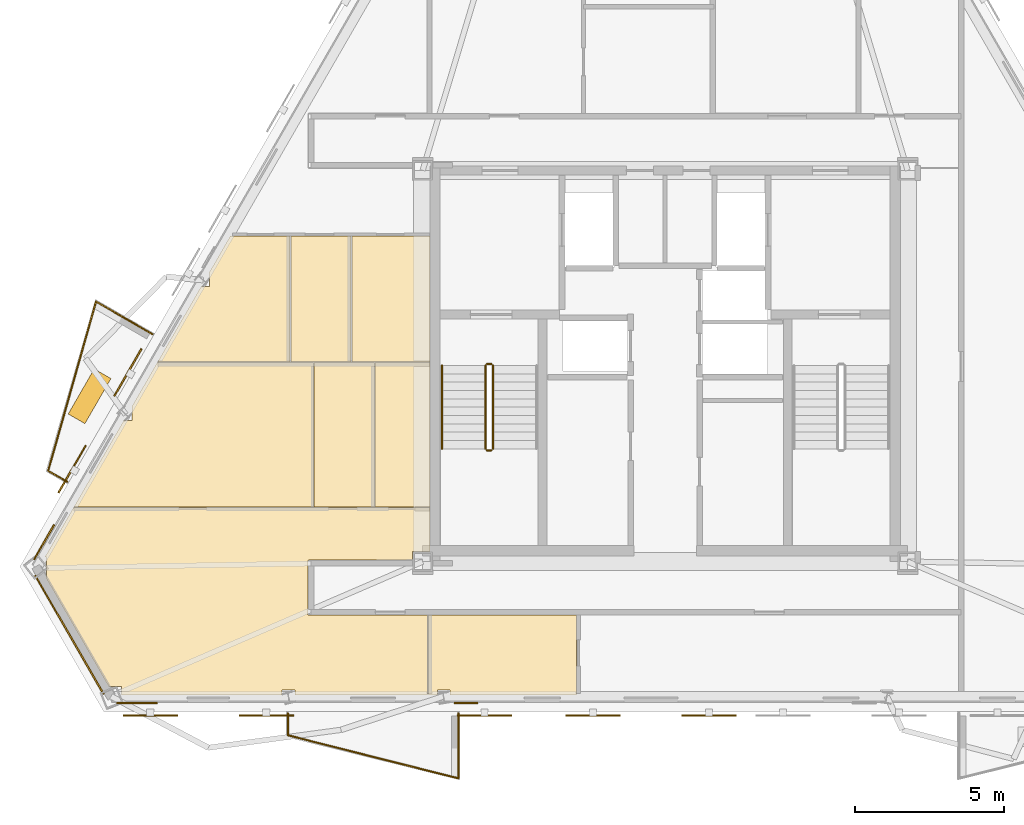
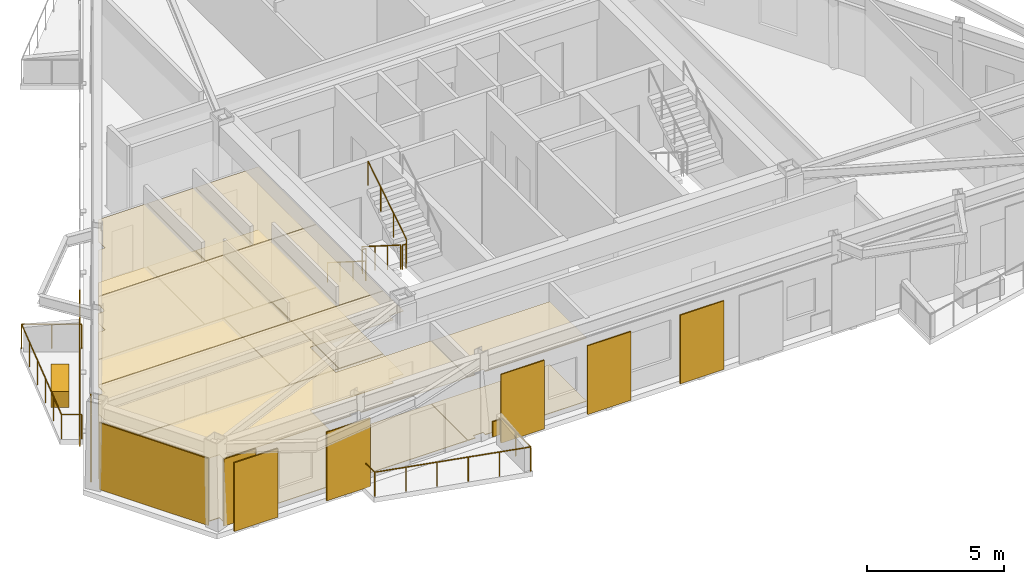
# One storey, part 7 of 9: 21 coverings, 11 railings, 7 shading devices.
"""IFC4 building model written with IfcOpenShell, lengths in metres."""

from ifc_helpers import new_model, si_unit, direction, frame, origin, origin_2d, place, context, subcontext, project, spatial, polyline, rectangle, circle, outline, extrude, material, layer, layer_set, type_object, element, save


model = new_model("IFC4")

# Units and contexts
model_context = context("Model", 3, precision=1e-05, world=origin(), true_north=direction((0.0, 1.0)))
body_context = subcontext(model_context, "Body", "Model", "MODEL_VIEW")
ifc_project = project(units=[si_unit("LENGTHUNIT", "METRE"), si_unit("AREAUNIT", "SQUARE_METRE"), si_unit("VOLUMEUNIT", "CUBIC_METRE"), si_unit("PLANEANGLEUNIT", "RADIAN"), si_unit("MASSUNIT", "GRAM", prefix="KILO")], contexts=[model_context])

# Site, building, storey
site_placement = place(None, origin())
site = spatial("IfcSite", under=ifc_project, at=site_placement, CompositionType="ELEMENT")
building_placement = place(site_placement, origin())
building = spatial("IfcBuilding", under=site, at=building_placement, Name="Oramaril Tower", CompositionType="ELEMENT")
storey_placement = place(building_placement, frame((0.0, 0.0, 261.60009765625)))
storey = spatial("IfcBuildingStorey", under=building, at=storey_placement, Name="L69", CompositionType="ELEMENT", Elevation=261.60009765625)

# Coverings
ifc_material_1 = material(Name="Mineral Fibre Acoustic Ceiling")
ifc_layer_1 = layer(ifc_material_1, 0.02001953125)
ifc_layer_set_1 = layer_set([ifc_layer_1], Name="CVT-CEIL")
covering_type_1 = type_object("IfcCoveringType", Name="CVT-CEIL", PredefinedType="CEILING", material=ifc_layer_set_1)
covering_1_placement = place(storey_placement, frame((0.0, 0.0, 2.81201171875)))
element("IfcCovering", 1, at=covering_1_placement, inside=storey, type_object=covering_type_1, Name="L69 Acoustic Suspended Ceiling 6", PredefinedType="CEILING", context=body_context, shape_type="SweptSolid", body=[
    extrude(outline(polyline([(30.2666015625, 6.681396484375), (29.843994140625, 6.681396484375), (29.843994140625, 6.5224609375), (29.5380859375, 6.5224609375), (29.5380859375, 9.199951171875), (34.521484375, 9.199951171875), (34.521484375, 6.5224609375), (30.2666015625, 6.5224609375), (30.2666015625, 6.681396484375)])), origin(), (0.0, 0.0, 1.0), 0.019775390625),
])
covering_2_placement = place(storey_placement, frame((0.0, 0.0, 2.81201171875)))
element("IfcCovering", 2, at=covering_2_placement, inside=storey, type_object=covering_type_1, Name="L69 Acoustic Suspended Ceiling 7", PredefinedType="CEILING", context=body_context, shape_type="SweptSolid", body=[
    extrude(outline(polyline([(29.60009765625, 12.814208984375), (29.60009765625, 11.344970703125), (29.0048828125, 11.344970703125), (29.0048828125, 11.050048828125), (25.52001953125, 11.050048828125), (25.51806640625, 11.0498046875), (25.51611328125, 11.049560546875), (25.51416015625, 11.049072265625), (25.51220703125, 11.048583984375), (25.510498046875, 11.047607421875), (25.5087890625, 11.046630859375), (25.50732421875, 11.04541015625), (25.505859375, 11.044189453125), (25.50439453125, 11.042724609375), (25.50341796875, 11.041015625), (25.50244140625, 11.039306640625), (25.50146484375, 11.03759765625), (25.5009765625, 11.035888671875), (25.50048828125, 11.033935546875), (25.5, 11.031982421875), (25.5, 11.030029296875), (25.5, 9.219970703125), (25.5, 9.218017578125), (25.50048828125, 9.216064453125), (25.5009765625, 9.214111328125), (25.50146484375, 9.21240234375), (25.50244140625, 9.210693359375), (25.50341796875, 9.208984375), (25.50439453125, 9.207275390625), (25.505859375, 9.205810546875), (25.50732421875, 9.20458984375), (25.5087890625, 9.203369140625), (25.510498046875, 9.202392578125), (25.51220703125, 9.201416015625), (25.51416015625, 9.200927734375), (25.51611328125, 9.200439453125), (25.51806640625, 9.2001953125), (25.52001953125, 9.199951171875), (29.51806640625, 9.199951171875), (29.51806640625, 6.5224609375), (25.05859375, 6.5224609375), (25.05859375, 6.681396484375), (24.629150390625, 6.681396484375), (24.629150390625, 6.5224609375), (19.219970703125, 6.5224609375), (19.219970703125, 6.794921875), (18.804931640625, 6.794921875), (16.68701171875, 10.463623046875), (16.708251953125, 10.463623046875), (16.708251953125, 11.15478515625), (16.657470703125, 11.15478515625), (17.615478515625, 12.814208984375), (29.60009765625, 12.814208984375)])), origin(), (0.0, 0.0, 1.0), 0.019775390625),
])
covering_3_placement = place(storey_placement, frame((0.0, 0.0, 2.81201171875)))
element("IfcCovering", 3, at=covering_3_placement, inside=storey, type_object=covering_type_1, Name="L69 Acoustic Suspended Ceiling 8", PredefinedType="CEILING", context=body_context, shape_type="SweptSolid", body=[
    extrude(outline(polyline([(19.3037109375, 15.73828125), (19.57470703125, 15.73828125), (19.57470703125, 16.19580078125), (19.56787109375, 16.19580078125), (20.431640625, 17.69189453125), (25.681884765625, 17.69189453125), (25.681884765625, 12.834228515625), (17.627197265625, 12.834228515625), (19.3037109375, 15.73828125)])), origin(), (0.0, 0.0, 1.0), 0.019775390625),
])
covering_4_placement = place(storey_placement, frame((0.0, 0.0, 2.81201171875)))
element("IfcCovering", 4, at=covering_4_placement, inside=storey, type_object=covering_type_1, Name="L69 Acoustic Suspended Ceiling 9", PredefinedType="CEILING", context=body_context, shape_type="SweptSolid", body=[
    extrude(outline(polyline([(27.73193359375, 17.69189453125), (27.73193359375, 12.834228515625), (25.701904296875, 12.834228515625), (25.701904296875, 17.69189453125), (27.73193359375, 17.69189453125)])), origin(), (0.0, 0.0, 1.0), 0.019775390625),
])
covering_5_placement = place(storey_placement, frame((0.0, 0.0, 2.81201171875)))
element("IfcCovering", 5, at=covering_5_placement, inside=storey, type_object=covering_type_1, Name="L69 Acoustic Suspended Ceiling 10", PredefinedType="CEILING", context=body_context, shape_type="SweptSolid", body=[
    extrude(outline(polyline([(29.60009765625, 17.69189453125), (29.60009765625, 12.834228515625), (27.751953125, 12.834228515625), (27.751953125, 17.69189453125), (29.60009765625, 17.69189453125)])), origin(), (0.0, 0.0, 1.0), 0.019775390625),
])
covering_6_placement = place(storey_placement, frame((0.0, 0.0, 2.81201171875)))
element("IfcCovering", 6, at=covering_6_placement, inside=storey, type_object=covering_type_1, Name="L69 Acoustic Suspended Ceiling 12", PredefinedType="CEILING", context=body_context, shape_type="SweptSolid", body=[
    extrude(outline(polyline([(22.181884765625, 20.25439453125), (22.181884765625, 20.7060546875), (22.171875, 20.7060546875), (22.884765625, 21.940673828125), (22.88525390625, 21.9404296875), (22.886962890625, 21.939697265625), (22.888916015625, 21.93896484375), (22.890869140625, 21.9384765625), (22.892578125, 21.93798828125), (22.894775390625, 21.93798828125), (24.8994140625, 21.93798828125), (24.8994140625, 17.7119140625), (20.443359375, 17.7119140625), (21.9111328125, 20.25439453125), (22.181884765625, 20.25439453125)])), origin(), (0.0, 0.0, 1.0), 0.019775390625),
])
covering_7_placement = place(storey_placement, frame((0.0, 0.0, 2.81201171875)))
element("IfcCovering", 7, at=covering_7_placement, inside=storey, type_object=covering_type_1, Name="L69 Acoustic Suspended Ceiling 13", PredefinedType="CEILING", context=body_context, shape_type="SweptSolid", body=[
    extrude(outline(polyline([(26.949462890625, 17.7119140625), (25.701904296875, 17.7119140625), (25.699951171875, 17.7119140625), (25.697998046875, 17.711669921875), (25.6962890625, 17.711181640625), (25.6943359375, 17.71044921875), (25.692626953125, 17.709716796875), (25.69189453125, 17.709228515625), (25.69140625, 17.709716796875), (25.689697265625, 17.71044921875), (25.687744140625, 17.711181640625), (25.685791015625, 17.711669921875), (25.68408203125, 17.7119140625), (25.681884765625, 17.7119140625), (24.91943359375, 17.7119140625), (24.91943359375, 21.93798828125), (26.949462890625, 21.93798828125), (26.949462890625, 17.7119140625)])), origin(), (0.0, 0.0, 1.0), 0.019775390625),
])
covering_8_placement = place(storey_placement, frame((0.0, 0.0, 2.81201171875)))
element("IfcCovering", 8, at=covering_8_placement, inside=storey, type_object=covering_type_1, Name="L69 Acoustic Suspended Ceiling 14", PredefinedType="CEILING", context=body_context, shape_type="SweptSolid", body=[
    extrude(outline(polyline([(29.60009765625, 17.7119140625), (27.751953125, 17.7119140625), (27.75, 17.7119140625), (27.748046875, 17.711669921875), (27.74609375, 17.711181640625), (27.744384765625, 17.71044921875), (27.74267578125, 17.709716796875), (27.741943359375, 17.709228515625), (27.741455078125, 17.709716796875), (27.73974609375, 17.71044921875), (27.73779296875, 17.711181640625), (27.73583984375, 17.711669921875), (27.73388671875, 17.7119140625), (27.73193359375, 17.7119140625), (26.969482421875, 17.7119140625), (26.969482421875, 21.93798828125), (29.60009765625, 21.93798828125), (29.60009765625, 17.7119140625)])), origin(), (0.0, 0.0, 1.0), 0.019775390625),
])
ifc_material_2 = material(Name="Warm Cream Limestone", Category="masonry")
ifc_layer_2 = layer(ifc_material_2, 0.050048828125)
ifc_layer_set_2 = layer_set([ifc_layer_2], Name="CVT-CLD")
covering_type_2 = type_object("IfcCoveringType", Name="CVT-CLD", PredefinedType="CLADDING", material=ifc_layer_set_2)
covering_9_placement = place(storey_placement, frame((17.478515625, 8.54052734375, 0.039794921875), z_axis=(0.0, 0.0, 1.0), x_axis=(0.499990930976, -0.866030639725, 0.0)))
element("IfcCovering", 9, at=covering_9_placement, inside=storey, type_object=covering_type_2, Name="L69 Warm Cream Limestone Cladding", PredefinedType="CLADDING", context=body_context, shape_type="SweptSolid", body=[
    extrude(rectangle(XDim=4.60400390625, YDim=0.050048828125, at=origin_2d()), origin(), (0.0, 0.0, 1.0), 2.97802734375),
])
covering_10_placement = place(storey_placement, frame((19.75, 6.246337890625, 0.039794921875), z_axis=(0.0, 0.0, 1.0), x_axis=(1.0, 0.0, 0.0)))
element("IfcCovering", 10, at=covering_10_placement, inside=storey, type_object=covering_type_2, Name="L69 Warm Cream Limestone Cladding", PredefinedType="CLADDING", context=body_context, shape_type="SweptSolid", body=[
    extrude(rectangle(XDim=1.35009765625, YDim=0.050048828125, at=origin_2d()), origin(), (0.0, 0.0, 1.0), 2.97802734375),
])
covering_11_placement = place(storey_placement, frame((30.803955078125, 6.246337890625, 0.0400390625), z_axis=(0.0, 0.0, 1.0), x_axis=(1.0, 0.0, 0.0)))
element("IfcCovering", 11, at=covering_11_placement, inside=storey, type_object=covering_type_2, Name="L69 Warm Cream Limestone Spandrel Cladding", PredefinedType="CLADDING", context=body_context, shape_type="SweptSolid", body=[
    extrude(rectangle(XDim=0.800048828125, YDim=0.050048828125, at=origin_2d()), origin(), (0.0, 0.0, 1.0), 0.679931640625),
])
covering_12_placement = place(storey_placement, frame((16.62744140625, 11.65478515625, 0.039794921875), z_axis=(0.0, 0.0, 1.0), x_axis=(-0.5, -0.866025403784, 0.0)))
element("IfcCovering", 12, at=covering_12_placement, inside=storey, type_object=covering_type_2, Name="L69 Warm Cream Limestone Cladding", PredefinedType="CLADDING", context=body_context, shape_type="SweptSolid", body=[
    extrude(rectangle(XDim=1.35009765625, YDim=0.050048828125, at=origin_2d()), origin(), (0.0, 0.0, 1.0), 2.97802734375),
])
covering_13_placement = place(storey_placement, frame((18.15478515625, 16.557373046875, 0.0), z_axis=(0.0, 0.0, 1.0), x_axis=(-0.5, -0.866025403784, 0.0)))
element("IfcCovering", 13, at=covering_13_placement, inside=storey, type_object=covering_type_2, Name="L69 Structural Tree Planter Box L69-BAL-NW2", PredefinedType="CLADDING", context=body_context, shape_type="SweptSolid", body=[
    extrude(rectangle(XDim=1.75, YDim=0.64990234375, at=origin_2d()), origin(), (0.0, 0.0, 1.0), 0.699951171875),
])
ifc_material_3 = material(Name="Honed Quartzite Stone Flooring", Category="masonry")
ifc_layer_3 = layer(ifc_material_3, 0.02490234375)
ifc_layer_set_3 = layer_set([ifc_layer_3], Name="CVT-FLR")
covering_type_3 = type_object("IfcCoveringType", Name="CVT-FLR", PredefinedType="FLOORING", material=ifc_layer_set_3)
covering_14_placement = place(storey_placement, origin())
element("IfcCovering", 14, at=covering_14_placement, inside=storey, type_object=covering_type_3, Name="L69 Honed Stone Floor Finish 6", PredefinedType="FLOORING", context=body_context, shape_type="SweptSolid", body=[
    extrude(outline(polyline([(30.2666015625, 6.681396484375), (29.843994140625, 6.681396484375), (29.843994140625, 6.5224609375), (29.5380859375, 6.5224609375), (29.5380859375, 9.199951171875), (34.521484375, 9.199951171875), (34.521484375, 6.5224609375), (30.2666015625, 6.5224609375), (30.2666015625, 6.681396484375)])), origin(), (0.0, 0.0, 1.0), 0.02490234375),
])
covering_15_placement = place(storey_placement, origin())
element("IfcCovering", 15, at=covering_15_placement, inside=storey, type_object=covering_type_3, Name="L69 Honed Stone Floor Finish 7", PredefinedType="FLOORING", context=body_context, shape_type="SweptSolid", body=[
    extrude(outline(polyline([(29.60009765625, 12.814208984375), (29.60009765625, 11.344970703125), (29.0048828125, 11.344970703125), (29.0048828125, 11.050048828125), (25.52001953125, 11.050048828125), (25.51806640625, 11.0498046875), (25.51611328125, 11.049560546875), (25.51416015625, 11.049072265625), (25.51220703125, 11.048583984375), (25.510498046875, 11.047607421875), (25.5087890625, 11.046630859375), (25.50732421875, 11.04541015625), (25.505859375, 11.044189453125), (25.50439453125, 11.042724609375), (25.50341796875, 11.041015625), (25.50244140625, 11.039306640625), (25.50146484375, 11.03759765625), (25.5009765625, 11.035888671875), (25.50048828125, 11.033935546875), (25.5, 11.031982421875), (25.5, 11.030029296875), (25.5, 9.219970703125), (25.5, 9.218017578125), (25.50048828125, 9.216064453125), (25.5009765625, 9.214111328125), (25.50146484375, 9.21240234375), (25.50244140625, 9.210693359375), (25.50341796875, 9.208984375), (25.50439453125, 9.207275390625), (25.505859375, 9.205810546875), (25.50732421875, 9.20458984375), (25.5087890625, 9.203369140625), (25.510498046875, 9.202392578125), (25.51220703125, 9.201416015625), (25.51416015625, 9.200927734375), (25.51611328125, 9.200439453125), (25.51806640625, 9.2001953125), (25.52001953125, 9.199951171875), (29.51806640625, 9.199951171875), (29.51806640625, 6.5224609375), (25.05859375, 6.5224609375), (25.05859375, 6.681396484375), (24.629150390625, 6.681396484375), (24.629150390625, 6.5224609375), (19.219970703125, 6.5224609375), (19.219970703125, 6.794921875), (18.804931640625, 6.794921875), (16.68701171875, 10.463623046875), (16.708251953125, 10.463623046875), (16.708251953125, 11.15478515625), (16.657470703125, 11.15478515625), (17.615478515625, 12.814208984375), (29.60009765625, 12.814208984375)])), origin(), (0.0, 0.0, 1.0), 0.02490234375),
])
covering_16_placement = place(storey_placement, origin())
element("IfcCovering", 16, at=covering_16_placement, inside=storey, type_object=covering_type_3, Name="L69 Honed Stone Floor Finish 8", PredefinedType="FLOORING", context=body_context, shape_type="SweptSolid", body=[
    extrude(outline(polyline([(19.3037109375, 15.73828125), (19.57470703125, 15.73828125), (19.57470703125, 16.19580078125), (19.56787109375, 16.19580078125), (20.431640625, 17.69189453125), (25.681884765625, 17.69189453125), (25.681884765625, 12.834228515625), (17.627197265625, 12.834228515625), (19.3037109375, 15.73828125)])), origin(), (0.0, 0.0, 1.0), 0.02490234375),
])
covering_17_placement = place(storey_placement, origin())
element("IfcCovering", 17, at=covering_17_placement, inside=storey, type_object=covering_type_3, Name="L69 Honed Stone Floor Finish 9", PredefinedType="FLOORING", context=body_context, shape_type="SweptSolid", body=[
    extrude(outline(polyline([(27.73193359375, 17.69189453125), (27.73193359375, 12.834228515625), (25.701904296875, 12.834228515625), (25.701904296875, 17.69189453125), (27.73193359375, 17.69189453125)])), origin(), (0.0, 0.0, 1.0), 0.02490234375),
])
covering_18_placement = place(storey_placement, origin())
element("IfcCovering", 18, at=covering_18_placement, inside=storey, type_object=covering_type_3, Name="L69 Honed Stone Floor Finish 10", PredefinedType="FLOORING", context=body_context, shape_type="SweptSolid", body=[
    extrude(outline(polyline([(29.60009765625, 17.69189453125), (29.60009765625, 12.834228515625), (27.751953125, 12.834228515625), (27.751953125, 17.69189453125), (29.60009765625, 17.69189453125)])), origin(), (0.0, 0.0, 1.0), 0.02490234375),
])
covering_19_placement = place(storey_placement, origin())
element("IfcCovering", 19, at=covering_19_placement, inside=storey, type_object=covering_type_3, Name="L69 Honed Stone Floor Finish 12", PredefinedType="FLOORING", context=body_context, shape_type="SweptSolid", body=[
    extrude(outline(polyline([(22.181884765625, 20.25439453125), (22.181884765625, 20.7060546875), (22.171875, 20.7060546875), (22.884765625, 21.940673828125), (22.88525390625, 21.9404296875), (22.886962890625, 21.939697265625), (22.888916015625, 21.93896484375), (22.890869140625, 21.9384765625), (22.892578125, 21.93798828125), (22.894775390625, 21.93798828125), (24.8994140625, 21.93798828125), (24.8994140625, 17.7119140625), (20.443359375, 17.7119140625), (21.9111328125, 20.25439453125), (22.181884765625, 20.25439453125)])), origin(), (0.0, 0.0, 1.0), 0.02490234375),
])
covering_20_placement = place(storey_placement, origin())
element("IfcCovering", 20, at=covering_20_placement, inside=storey, type_object=covering_type_3, Name="L69 Honed Stone Floor Finish 13", PredefinedType="FLOORING", context=body_context, shape_type="SweptSolid", body=[
    extrude(outline(polyline([(26.949462890625, 17.7119140625), (25.701904296875, 17.7119140625), (25.699951171875, 17.7119140625), (25.697998046875, 17.711669921875), (25.6962890625, 17.711181640625), (25.6943359375, 17.71044921875), (25.692626953125, 17.709716796875), (25.69189453125, 17.709228515625), (25.69140625, 17.709716796875), (25.689697265625, 17.71044921875), (25.687744140625, 17.711181640625), (25.685791015625, 17.711669921875), (25.68408203125, 17.7119140625), (25.681884765625, 17.7119140625), (24.91943359375, 17.7119140625), (24.91943359375, 21.93798828125), (26.949462890625, 21.93798828125), (26.949462890625, 17.7119140625)])), origin(), (0.0, 0.0, 1.0), 0.02490234375),
])
covering_21_placement = place(storey_placement, origin())
element("IfcCovering", 21, at=covering_21_placement, inside=storey, type_object=covering_type_3, Name="L69 Honed Stone Floor Finish 14", PredefinedType="FLOORING", context=body_context, shape_type="SweptSolid", body=[
    extrude(outline(polyline([(29.60009765625, 17.7119140625), (27.751953125, 17.7119140625), (27.75, 17.7119140625), (27.748046875, 17.711669921875), (27.74609375, 17.711181640625), (27.744384765625, 17.71044921875), (27.74267578125, 17.709716796875), (27.741943359375, 17.709228515625), (27.741455078125, 17.709716796875), (27.73974609375, 17.71044921875), (27.73779296875, 17.711181640625), (27.73583984375, 17.711669921875), (27.73388671875, 17.7119140625), (27.73193359375, 17.7119140625), (26.969482421875, 17.7119140625), (26.969482421875, 21.93798828125), (29.60009765625, 21.93798828125), (29.60009765625, 17.7119140625)])), origin(), (0.0, 0.0, 1.0), 0.02490234375),
])

# Railings
ifc_material_4 = material(Name="Stainless Steel 316L", Category="steel")
railing_type_1 = type_object("IfcRailingType", Name="RLT-GRD", PredefinedType="GUARDRAIL", material=ifc_material_4)
railing_1_placement = place(storey_placement, frame((30.54931640625, 5.906494140625, 0.0)))
element("IfcRailing", 22, at=railing_1_placement, inside=storey, type_object=railing_type_1, Name="L69 Balcony Guardrail L69-BAL-S1.1", PredefinedType="GUARDRAIL", context=body_context, shape_type="SweptSolid", body=[
    extrude(circle(Radius=0.02392578125, at=origin_2d()), frame((0.0, 0.0, 1.076171875), z_axis=(0.0, -1.0, 0.0), x_axis=(1.0, 0.0, 0.0)), (0.0, 0.0, 1.0), 2.192138671875),
    extrude(circle(Radius=0.02099609375, at=origin_2d()), origin(), (0.0, 0.0, 1.0), 1.052001953125),
    extrude(circle(Radius=0.02099609375, at=origin_2d()), frame((0.0, -1.09619140625, 0.0)), (0.0, 0.0, 1.0), 1.052001953125),
    extrude(circle(Radius=0.02099609375, at=origin_2d()), frame((0.0, -2.192138671875, 0.0)), (0.0, 0.0, 1.0), 1.052001953125),
])
railing_2_placement = place(storey_placement, frame((30.54931640625, 3.71435546875, 0.0)))
element("IfcRailing", 23, at=railing_2_placement, inside=storey, type_object=railing_type_1, Name="L69 Balcony Guardrail L69-BAL-S1.2", PredefinedType="GUARDRAIL", context=body_context, shape_type="SweptSolid", body=[
    extrude(circle(Radius=0.02392578125, at=origin_2d()), frame((0.0, 0.0, 1.076171875), z_axis=(-0.969443611257, 0.245314256807, 0.0), x_axis=(-0.245314256807, -0.969443611257, 0.0)), (0.0, 0.0, 1.0), 5.91064453125),
    extrude(circle(Radius=0.02099609375, at=origin_2d()), origin(), (0.0, 0.0, 1.0), 1.052001953125),
    extrude(circle(Radius=0.02099609375, at=origin_2d()), frame((-1.14599609375, 0.2900390625, 0.0)), (0.0, 0.0, 1.0), 1.052001953125),
    extrude(circle(Radius=0.02099609375, at=origin_2d()), frame((-2.2919921875, 0.580078125, 0.0)), (0.0, 0.0, 1.0), 1.052001953125),
    extrude(circle(Radius=0.02099609375, at=origin_2d()), frame((-3.43798828125, 0.869873046875, 0.0)), (0.0, 0.0, 1.0), 1.052001953125),
    extrude(circle(Radius=0.02099609375, at=origin_2d()), frame((-4.583984375, 1.159912109375, 0.0)), (0.0, 0.0, 1.0), 1.052001953125),
    extrude(circle(Radius=0.02099609375, at=origin_2d()), frame((-5.72998046875, 1.449951171875, 0.0)), (0.0, 0.0, 1.0), 1.052001953125),
])
railing_3_placement = place(storey_placement, frame((24.8193359375, 5.164306640625, 0.0)))
element("IfcRailing", 24, at=railing_3_placement, inside=storey, type_object=railing_type_1, Name="L69 Balcony Guardrail L69-BAL-S1.3", PredefinedType="GUARDRAIL", context=body_context, shape_type="SweptSolid", body=[
    extrude(circle(Radius=0.02392578125, at=origin_2d()), frame((0.0, 0.0, 1.076171875), z_axis=(0.0, 1.0, 0.0), x_axis=(-1.0, 0.0, 0.0)), (0.0, 0.0, 1.0), 0.7421875),
    extrude(circle(Radius=0.02099609375, at=origin_2d()), origin(), (0.0, 0.0, 1.0), 1.052001953125),
    extrude(circle(Radius=0.02099609375, at=origin_2d()), frame((0.0, 0.7421875, 0.0)), (0.0, 0.0, 1.0), 1.052001953125),
])
railing_4_placement = place(storey_placement, frame((17.4052734375, 13.681884765625, 0.0)))
element("IfcRailing", 25, at=railing_4_placement, inside=storey, type_object=railing_type_1, Name="L69 Balcony Guardrail L69-BAL-NW2.1", PredefinedType="GUARDRAIL", context=body_context, shape_type="SweptSolid", body=[
    extrude(circle(Radius=0.02392578125, at=origin_2d()), frame((0.0, 0.0, 1.076171875), z_axis=(-0.865966403178, 0.500102178127, 0.0), x_axis=(-0.500102178127, -0.865966403178, 0.0)), (0.0, 0.0, 1.0), 0.741943359375),
    extrude(circle(Radius=0.02099609375, at=origin_2d()), origin(), (0.0, 0.0, 1.0), 1.052001953125),
    extrude(circle(Radius=0.02099609375, at=origin_2d()), frame((-0.642578125, 0.37109375, 0.0)), (0.0, 0.0, 1.0), 1.052001953125),
])
railing_5_placement = place(storey_placement, frame((16.7626953125, 14.052978515625, 0.0)))
element("IfcRailing", 26, at=railing_5_placement, inside=storey, type_object=railing_type_1, Name="L69 Balcony Guardrail L69-BAL-NW2.2", PredefinedType="GUARDRAIL", context=body_context, shape_type="SweptSolid", body=[
    extrude(circle(Radius=0.02392578125, at=origin_2d()), frame((0.0, 0.0, 1.076171875), z_axis=(0.27224886544, 0.962226873074, 0.0), x_axis=(-0.962226873074, 0.27224886544, 0.0)), (0.0, 0.0, 1.0), 5.910400390625),
    extrude(circle(Radius=0.02099609375, at=origin_2d()), origin(), (0.0, 0.0, 1.0), 1.052001953125),
    extrude(circle(Radius=0.02099609375, at=origin_2d()), frame((0.32177734375, 1.137451171875, 0.0)), (0.0, 0.0, 1.0), 1.052001953125),
    extrude(circle(Radius=0.02099609375, at=origin_2d()), frame((0.6435546875, 2.27490234375, 0.0)), (0.0, 0.0, 1.0), 1.052001953125),
    extrude(circle(Radius=0.02099609375, at=origin_2d()), frame((0.965576171875, 3.412353515625, 0.0)), (0.0, 0.0, 1.0), 1.052001953125),
    extrude(circle(Radius=0.02099609375, at=origin_2d()), frame((1.287353515625, 4.5498046875, 0.0)), (0.0, 0.0, 1.0), 1.052001953125),
    extrude(circle(Radius=0.02099609375, at=origin_2d()), frame((1.609130859375, 5.687255859375, 0.0)), (0.0, 0.0, 1.0), 1.052001953125),
])
railing_6_placement = place(storey_placement, frame((18.371826171875, 19.740234375, 0.0)))
element("IfcRailing", 27, at=railing_6_placement, inside=storey, type_object=railing_type_1, Name="L69 Balcony Guardrail L69-BAL-NW2.3", PredefinedType="GUARDRAIL", context=body_context, shape_type="SweptSolid", body=[
    extrude(circle(Radius=0.02392578125, at=origin_2d()), frame((0.0, 0.0, 1.076171875), z_axis=(0.866048343933, -0.499960264392, 0.0), x_axis=(0.499960264392, 0.866048343933, 0.0)), (0.0, 0.0, 1.0), 2.192138671875),
    extrude(circle(Radius=0.02099609375, at=origin_2d()), origin(), (0.0, 0.0, 1.0), 1.052001953125),
    extrude(circle(Radius=0.02099609375, at=origin_2d()), frame((0.94921875, -0.5478515625, 0.0)), (0.0, 0.0, 1.0), 1.052001953125),
    extrude(circle(Radius=0.02099609375, at=origin_2d()), frame((1.8984375, -1.095947265625, 0.0)), (0.0, 0.0, 1.0), 1.052001953125),
])
railing_7_placement = place(storey_placement, frame((31.4599609375, 17.590087890625, 0.17724609375)))
element("IfcRailing", 28, at=railing_7_placement, inside=storey, type_object=railing_type_1, Name="L69 ST-1 stair guard 1", PredefinedType="GUARDRAIL", context=body_context, shape_type="SweptSolid", body=[
    extrude(circle(Radius=0.02392578125, at=origin_2d()), frame((0.0, 0.0, 1.076171875), z_axis=(0.0, -0.844908973607, 0.534910110503), x_axis=(1.0, 0.0, 0.0)), (0.0, 0.0, 1.0), 3.31396484375),
    extrude(circle(Radius=0.02099609375, at=origin_2d()), origin(), (0.0, 0.0, 1.0), 1.052001953125),
    extrude(circle(Radius=0.02099609375, at=origin_2d()), frame((0.0, -0.933349609375, 0.5908203125)), (0.0, 0.0, 1.0), 1.052001953125),
    extrude(circle(Radius=0.02099609375, at=origin_2d()), frame((0.0, -1.86669921875, 1.181884765625)), (0.0, 0.0, 1.0), 1.052001953125),
    extrude(circle(Radius=0.02099609375, at=origin_2d()), frame((0.0, -2.800048828125, 1.772705078125)), (0.0, 0.0, 1.0), 1.052001953125),
])
railing_8_placement = place(storey_placement, frame((31.510009765625, 14.739990234375, 1.949951171875)))
element("IfcRailing", 29, at=railing_8_placement, inside=storey, type_object=railing_type_1, Name="L69 ST-1 stair guard 2", PredefinedType="GUARDRAIL", context=body_context, shape_type="SweptSolid", body=[
    extrude(circle(Radius=0.02392578125, at=origin_2d()), frame((0.0, 0.0, 1.076171875), z_axis=(1.0, 0.0, 0.0), x_axis=(0.0, 1.0, 0.0)), (0.0, 0.0, 1.0), 0.14990234375),
    extrude(circle(Radius=0.02099609375, at=origin_2d()), origin(), (0.0, 0.0, 1.0), 1.052001953125),
    extrude(circle(Radius=0.02099609375, at=origin_2d()), frame((0.14990234375, 0.0, 0.0)), (0.0, 0.0, 1.0), 1.052001953125),
])
railing_9_placement = place(storey_placement, frame((31.7099609375, 14.7900390625, 2.127197265625)))
element("IfcRailing", 30, at=railing_9_placement, inside=storey, type_object=railing_type_1, Name="L69 ST-1 stair guard 3", PredefinedType="GUARDRAIL", context=body_context, shape_type="SweptSolid", body=[
    extrude(circle(Radius=0.02392578125, at=origin_2d()), frame((0.0, 0.0, 1.076171875), z_axis=(0.0, 0.844908973607, 0.534910110503), x_axis=(-1.0, 0.0, 0.0)), (0.0, 0.0, 1.0), 3.31396484375),
    extrude(circle(Radius=0.02099609375, at=origin_2d()), origin(), (0.0, 0.0, 1.0), 1.052001953125),
    extrude(circle(Radius=0.02099609375, at=origin_2d()), frame((0.0, 0.933349609375, 0.5908203125)), (0.0, 0.0, 1.0), 1.052001953125),
    extrude(circle(Radius=0.02099609375, at=origin_2d()), frame((0.0, 1.86669921875, 1.181884765625)), (0.0, 0.0, 1.0), 1.052001953125),
    extrude(circle(Radius=0.02099609375, at=origin_2d()), frame((0.0, 2.800048828125, 1.772705078125)), (0.0, 0.0, 1.0), 1.052001953125),
])
railing_10_placement = place(storey_placement, frame((31.510009765625, 17.639892578125, 0.0)))
element("IfcRailing", 31, at=railing_10_placement, inside=storey, type_object=railing_type_1, Name="L69 ST-1 stair guard 4", PredefinedType="GUARDRAIL", context=body_context, shape_type="SweptSolid", body=[
    extrude(circle(Radius=0.02392578125, at=origin_2d()), frame((0.0, 0.0, 1.076171875), z_axis=(1.0, 0.0, 0.0), x_axis=(0.0, 1.0, 0.0)), (0.0, 0.0, 1.0), 0.14990234375),
    extrude(circle(Radius=0.02099609375, at=origin_2d()), origin(), (0.0, 0.0, 1.0), 1.052001953125),
    extrude(circle(Radius=0.02099609375, at=origin_2d()), frame((0.14990234375, 0.0, 0.0)), (0.0, 0.0, 1.0), 1.052001953125),
])
ifc_material_5 = material(Name="Stainless Steel 316L", Category="steel")
railing_type_2 = type_object("IfcRailingType", Name="RLT-HND", PredefinedType="HANDRAIL", material=ifc_material_5)
railing_11_placement = place(storey_placement, frame((30.0, 17.590087890625, 0.17724609375)))
element("IfcRailing", 32, at=railing_11_placement, inside=storey, type_object=railing_type_2, Name="L69 ST-1 stair handrail 1", PredefinedType="HANDRAIL", context=body_context, shape_type="SweptSolid", body=[
    extrude(circle(Radius=0.02392578125, at=origin_2d()), frame((0.0, 0.0, 0.8759765625), z_axis=(0.0, -0.844908973607, 0.534910110503), x_axis=(1.0, 0.0, 0.0)), (0.0, 0.0, 1.0), 3.31396484375),
    extrude(circle(Radius=0.02099609375, at=origin_2d()), origin(), (0.0, 0.0, 1.0), 0.851806640625),
    extrude(circle(Radius=0.02099609375, at=origin_2d()), frame((0.0, -0.933349609375, 0.5908203125)), (0.0, 0.0, 1.0), 0.851806640625),
    extrude(circle(Radius=0.02099609375, at=origin_2d()), frame((0.0, -1.86669921875, 1.181884765625)), (0.0, 0.0, 1.0), 0.851806640625),
    extrude(circle(Radius=0.02099609375, at=origin_2d()), frame((0.0, -2.800048828125, 1.772705078125)), (0.0, 0.0, 1.0), 0.851806640625),
])

# Shading devices
for number, where, z_axis, x_axis, name in (
    (33, (35.07421875, 5.83447265625, -0.020263671875), (0.0, 0.0, 1.0), (1.0, 0.0, 0.0), "L69 Perforated Ceramic Solar Screen"),
    (34, (38.97412109375, 5.83447265625, -0.020263671875), (0.0, 0.0, 1.0), (1.0, 0.0, 0.0), "L69 Perforated Ceramic Solar Screen"),
    (35, (31.422607421875, 5.83447265625, -0.020263671875), (0.0, 0.0, 1.0), (1.0, 0.0, 0.0), "L69 Perforated Ceramic Solar Screen"),
    (36, (20.195556640625, 5.83447265625, -0.020263671875), (0.0, 0.0, 1.0), (1.0, 0.0, 0.0), "L69 Perforated Ceramic Solar Screen"),
    (37, (24.095458984375, 5.83447265625, -0.020263671875), (0.0, 0.0, 1.0), (1.0, 0.0, 0.0), "L69 Perforated Ceramic Solar Screen"),
    (38, (17.568603515625, 14.10888671875, -0.020263671875), (0.0, 0.0, 1.0), (-0.5, -0.866025403784, 0.0), "L69 Perforated Ceramic Solar Screen"),
    (39, (19.44384765625, 17.35693359375, -0.020263671875), (0.0, 0.0, 1.0), (-0.5, -0.866025403784, 0.0), "L69 Perforated Ceramic Solar Screen"),
):
    element("IfcShadingDevice", number, at=place(storey_placement, frame(where, z_axis=z_axis, x_axis=x_axis)), inside=storey, Name=name, ObjectType="SCREEN", PredefinedType="USERDEFINED", context=body_context, shape_type="SweptSolid", body=[
        extrude(rectangle(XDim=1.8330078125, YDim=0.050048828125, at=origin_2d()), origin(), (0.0, 0.0, 1.0), 3.05810546875),
    ])

save(model, "model.ifc")
